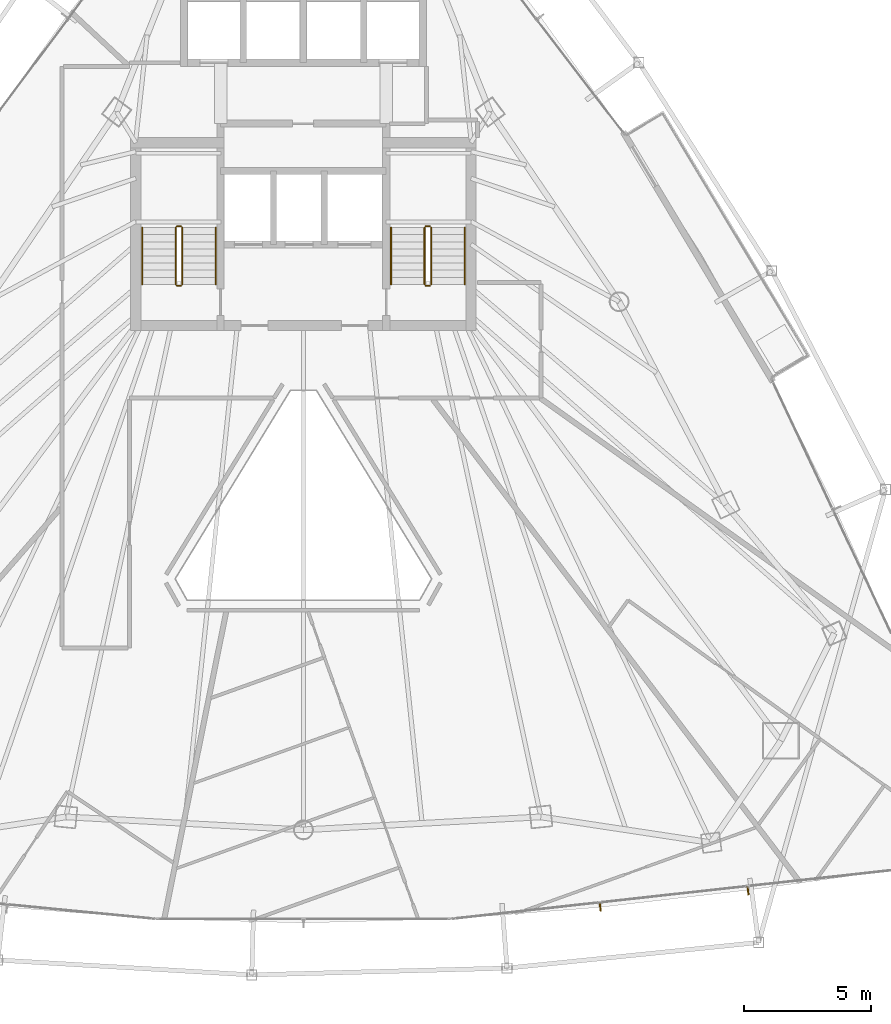
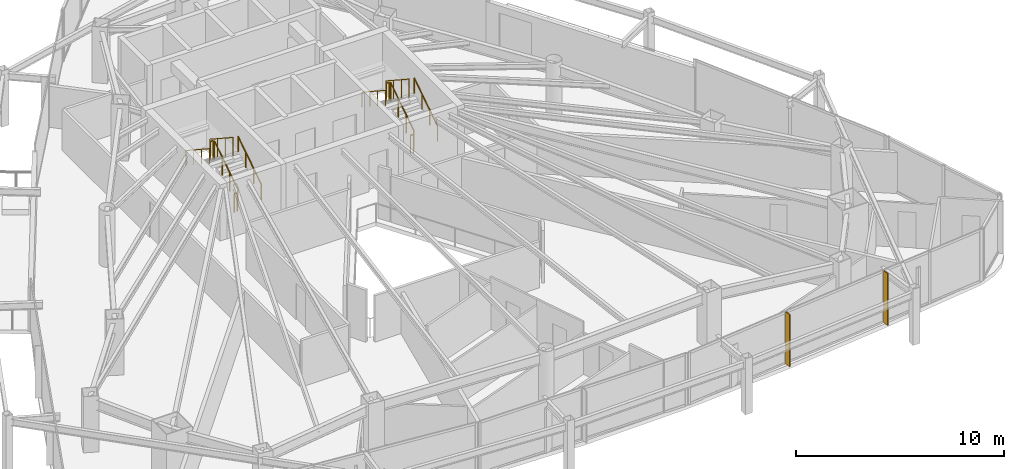
# One storey, part 29 of 30: 12 railings, 2 shading devices.
"""IFC4 building model written with IfcOpenShell, lengths in metres."""

from ifc_helpers import new_model, si_unit, direction, frame, origin, origin_2d, place, context, subcontext, project, spatial, rectangle, circle, extrude, material, layer, layer_set, type_object, element, save


model = new_model("IFC4")

# Units and contexts
model_context = context("Model", 3, precision=1e-05, world=origin(), true_north=direction((0.0, 1.0)))
body_context = subcontext(model_context, "Body", "Model", "MODEL_VIEW")
ifc_project = project(units=[si_unit("LENGTHUNIT", "METRE"), si_unit("AREAUNIT", "SQUARE_METRE"), si_unit("VOLUMEUNIT", "CUBIC_METRE"), si_unit("PLANEANGLEUNIT", "RADIAN"), si_unit("MASSUNIT", "GRAM", prefix="KILO")], contexts=[model_context])

# Site, building, storey
site_placement = place(None, origin())
site = spatial("IfcSite", under=ifc_project, at=site_placement, CompositionType="ELEMENT")
building_placement = place(site_placement, origin())
building = spatial("IfcBuilding", under=site, at=building_placement, Name="Orvanel Arch Residences", CompositionType="ELEMENT")
storey_placement = place(building_placement, frame((0.0, 0.0, 139.699951171875)))
storey = spatial("IfcBuildingStorey", under=building, at=storey_placement, Name="L39", CompositionType="ELEMENT", Elevation=139.699951171875)

# Shading devices
ifc_material_1 = material(Name="Bronze-anodised aluminium AA6063-T6", Category="aluminium")
ifc_layer = layer(ifc_material_1, 0.054931640625)
ifc_layer_set = layer_set([ifc_layer], Name="Bronze-anodised aluminium AA6063-T6")
shading_device_type = type_object("IfcShadingDeviceType", Name="FIN-BRZ-320", PredefinedType="USERDEFINED", material=ifc_layer_set)
for number, where, z_axis, x_axis, name in (
    (1, (44.68896484375, 3.7958984375, 0.0), (0.0, 0.0, 1.0), (0.109734311091, -0.993960955455, 0.0), "L39 Anodised Bronze Mullion FIN 01"),
    (2, (50.507080078125, 4.43896484375, 0.0), (0.0, 0.0, 1.0), (0.109734311091, -0.993960955455, 0.0), "L39 Anodised Bronze Mullion FIN 02"),
):
    element("IfcShadingDevice", number, at=place(storey_placement, frame(where, z_axis=z_axis, x_axis=x_axis)), inside=storey, type_object=shading_device_type, Name=name, ObjectType="FIN", PredefinedType="USERDEFINED", context=body_context, shape_type="SweptSolid", body=[
        extrude(rectangle(XDim=0.320068359375, YDim=0.054931640625, at=origin_2d()), origin(), (0.0, 0.0, 1.0), 3.06005859375),
    ])

# Railings
ifc_material_2 = material(Name="Structural steel AS/NZS 1163 C350L0 (Grade 350)", Category="steel")
railing_type_1 = type_object("IfcRailingType", Name="RL-STAIR-GUARD", PredefinedType="GUARDRAIL", material=ifc_material_2)
railing_1_placement = place(storey_placement, frame((28.22998046875, 28.320068359375, 0.183349609375)))
element("IfcRailing", 3, at=railing_1_placement, inside=storey, type_object=railing_type_1, Name="L39 ST-1 stair guard 1", PredefinedType="GUARDRAIL", context=body_context, shape_type="SweptSolid", body=[
    extrude(circle(Radius=0.02392578125, at=origin_2d()), frame((0.0, 0.001220703125, 1.076904296875), z_axis=(0.0, 0.836595146698, 0.547821650285), x_axis=(-1.0, 0.0, 0.0)), (0.0, 0.0, 1.0), 2.674560546875),
    extrude(circle(Radius=0.02099609375, at=origin_2d()), origin(), (0.0, 0.0, 1.0), 1.050048828125),
    extrude(circle(Radius=0.02099609375, at=origin_2d()), frame((0.0, 0.74658203125, 0.489013671875)), (0.0, 0.0, 1.0), 1.050048828125),
    extrude(circle(Radius=0.02099609375, at=origin_2d()), frame((0.0, 1.493408203125, 0.977783203125)), (0.0, 0.0, 1.0), 1.050048828125),
    extrude(circle(Radius=0.02099609375, at=origin_2d()), frame((0.0, 2.239990234375, 1.466796875)), (0.0, 0.0, 1.0), 1.050048828125),
])
railing_2_placement = place(storey_placement, frame((28.179931640625, 30.610107421875, 1.650146484375)))
element("IfcRailing", 4, at=railing_2_placement, inside=storey, type_object=railing_type_1, Name="L39 ST-1 stair guard 2", PredefinedType="GUARDRAIL", context=body_context, shape_type="SweptSolid", body=[
    extrude(circle(Radius=0.02392578125, at=origin_2d()), frame((-0.00146484375, 0.0, 1.076171875), z_axis=(-1.0, 0.0, 0.0), x_axis=(0.0, -1.0, 0.0)), (0.0, 0.0, 1.0), 0.156982421875),
    extrude(circle(Radius=0.02099609375, at=origin_2d()), origin(), (0.0, 0.0, 1.0), 1.050048828125),
    extrude(circle(Radius=0.02099609375, at=origin_2d()), frame((-0.159912109375, 0.0, 0.0)), (0.0, 0.0, 1.0), 1.050048828125),
])
railing_3_placement = place(storey_placement, frame((27.969970703125, 30.56005859375, 1.83349609375)))
element("IfcRailing", 5, at=railing_3_placement, inside=storey, type_object=railing_type_1, Name="L39 ST-1 stair guard 3", PredefinedType="GUARDRAIL", context=body_context, shape_type="SweptSolid", body=[
    extrude(circle(Radius=0.02392578125, at=origin_2d()), frame((0.0, -0.001220703125, 1.076904296875), z_axis=(0.0, -0.836636935527, 0.547757827979), x_axis=(1.0, 0.0, 0.0)), (0.0, 0.0, 1.0), 2.67431640625),
    extrude(circle(Radius=0.02099609375, at=origin_2d()), origin(), (0.0, 0.0, 1.0), 1.050048828125),
    extrude(circle(Radius=0.02099609375, at=origin_2d()), frame((0.0, -0.74658203125, 0.48876953125)), (0.0, 0.0, 1.0), 1.050048828125),
    extrude(circle(Radius=0.02099609375, at=origin_2d()), frame((0.0, -1.493408203125, 0.977783203125)), (0.0, 0.0, 1.0), 1.050048828125),
    extrude(circle(Radius=0.02099609375, at=origin_2d()), frame((0.0, -2.239990234375, 1.466552734375)), (0.0, 0.0, 1.0), 1.050048828125),
])
railing_4_placement = place(storey_placement, frame((28.179931640625, 28.27001953125, 0.0)))
element("IfcRailing", 6, at=railing_4_placement, inside=storey, type_object=railing_type_1, Name="L39 ST-1 stair guard 4", PredefinedType="GUARDRAIL", context=body_context, shape_type="SweptSolid", body=[
    extrude(circle(Radius=0.02392578125, at=origin_2d()), frame((-0.00146484375, 0.0, 1.076171875), z_axis=(-1.0, 0.0, 0.0), x_axis=(0.0, -1.0, 0.0)), (0.0, 0.0, 1.0), 0.156982421875),
    extrude(circle(Radius=0.02099609375, at=origin_2d()), origin(), (0.0, 0.0, 1.0), 1.050048828125),
    extrude(circle(Radius=0.02099609375, at=origin_2d()), frame((-0.159912109375, 0.0, 0.0)), (0.0, 0.0, 1.0), 1.050048828125),
])
railing_5_placement = place(storey_placement, frame((38.030029296875, 28.320068359375, 0.183349609375)))
element("IfcRailing", 7, at=railing_5_placement, inside=storey, type_object=railing_type_1, Name="L39 ST-2 stair guard 1", PredefinedType="GUARDRAIL", context=body_context, shape_type="SweptSolid", body=[
    extrude(circle(Radius=0.02392578125, at=origin_2d()), frame((0.0, 0.001220703125, 1.076904296875), z_axis=(0.0, 0.836595146698, 0.547821650285), x_axis=(-1.0, 0.0, 0.0)), (0.0, 0.0, 1.0), 2.674560546875),
    extrude(circle(Radius=0.02099609375, at=origin_2d()), origin(), (0.0, 0.0, 1.0), 1.050048828125),
    extrude(circle(Radius=0.02099609375, at=origin_2d()), frame((0.0, 0.74658203125, 0.489013671875)), (0.0, 0.0, 1.0), 1.050048828125),
    extrude(circle(Radius=0.02099609375, at=origin_2d()), frame((0.0, 1.493408203125, 0.977783203125)), (0.0, 0.0, 1.0), 1.050048828125),
    extrude(circle(Radius=0.02099609375, at=origin_2d()), frame((0.0, 2.239990234375, 1.466796875)), (0.0, 0.0, 1.0), 1.050048828125),
])
railing_6_placement = place(storey_placement, frame((37.97998046875, 30.610107421875, 1.650146484375)))
element("IfcRailing", 8, at=railing_6_placement, inside=storey, type_object=railing_type_1, Name="L39 ST-2 stair guard 2", PredefinedType="GUARDRAIL", context=body_context, shape_type="SweptSolid", body=[
    extrude(circle(Radius=0.02392578125, at=origin_2d()), frame((-0.00146484375, 0.0, 1.076171875), z_axis=(-1.0, 0.0, 0.0), x_axis=(0.0, -1.0, 0.0)), (0.0, 0.0, 1.0), 0.156982421875),
    extrude(circle(Radius=0.02099609375, at=origin_2d()), origin(), (0.0, 0.0, 1.0), 1.050048828125),
    extrude(circle(Radius=0.02099609375, at=origin_2d()), frame((-0.159912109375, 0.0, 0.0)), (0.0, 0.0, 1.0), 1.050048828125),
])
railing_7_placement = place(storey_placement, frame((37.77001953125, 30.56005859375, 1.83349609375)))
element("IfcRailing", 9, at=railing_7_placement, inside=storey, type_object=railing_type_1, Name="L39 ST-2 stair guard 3", PredefinedType="GUARDRAIL", context=body_context, shape_type="SweptSolid", body=[
    extrude(circle(Radius=0.02392578125, at=origin_2d()), frame((0.0, -0.001220703125, 1.076904296875), z_axis=(0.0, -0.836636935527, 0.547757827979), x_axis=(1.0, 0.0, 0.0)), (0.0, 0.0, 1.0), 2.67431640625),
    extrude(circle(Radius=0.02099609375, at=origin_2d()), origin(), (0.0, 0.0, 1.0), 1.050048828125),
    extrude(circle(Radius=0.02099609375, at=origin_2d()), frame((0.0, -0.74658203125, 0.48876953125)), (0.0, 0.0, 1.0), 1.050048828125),
    extrude(circle(Radius=0.02099609375, at=origin_2d()), frame((0.0, -1.493408203125, 0.977783203125)), (0.0, 0.0, 1.0), 1.050048828125),
    extrude(circle(Radius=0.02099609375, at=origin_2d()), frame((0.0, -2.239990234375, 1.466552734375)), (0.0, 0.0, 1.0), 1.050048828125),
])
railing_8_placement = place(storey_placement, frame((37.97998046875, 28.27001953125, 0.0)))
element("IfcRailing", 10, at=railing_8_placement, inside=storey, type_object=railing_type_1, Name="L39 ST-2 stair guard 4", PredefinedType="GUARDRAIL", context=body_context, shape_type="SweptSolid", body=[
    extrude(circle(Radius=0.02392578125, at=origin_2d()), frame((-0.00146484375, 0.0, 1.076171875), z_axis=(-1.0, 0.0, 0.0), x_axis=(0.0, -1.0, 0.0)), (0.0, 0.0, 1.0), 0.156982421875),
    extrude(circle(Radius=0.02099609375, at=origin_2d()), origin(), (0.0, 0.0, 1.0), 1.050048828125),
    extrude(circle(Radius=0.02099609375, at=origin_2d()), frame((-0.159912109375, 0.0, 0.0)), (0.0, 0.0, 1.0), 1.050048828125),
])
railing_type_2 = type_object("IfcRailingType", Name="RL-STAIR-HAND", PredefinedType="HANDRAIL", material=ifc_material_2)
railing_9_placement = place(storey_placement, frame((29.550048828125, 28.320068359375, 0.183349609375)))
element("IfcRailing", 11, at=railing_9_placement, inside=storey, type_object=railing_type_2, Name="L39 ST-1 stair handrail 1", PredefinedType="HANDRAIL", context=body_context, shape_type="SweptSolid", body=[
    extrude(circle(Radius=0.02392578125, at=origin_2d()), frame((0.0, 0.001220703125, 0.876708984375), z_axis=(0.0, 0.836595146698, 0.547821650285), x_axis=(-1.0, 0.0, 0.0)), (0.0, 0.0, 1.0), 2.674560546875),
    extrude(circle(Radius=0.02099609375, at=origin_2d()), origin(), (0.0, 0.0, 1.0), 0.849853515625),
    extrude(circle(Radius=0.02099609375, at=origin_2d()), frame((0.0, 0.74658203125, 0.489013671875)), (0.0, 0.0, 1.0), 0.849853515625),
    extrude(circle(Radius=0.02099609375, at=origin_2d()), frame((0.0, 1.493408203125, 0.977783203125)), (0.0, 0.0, 1.0), 0.849853515625),
    extrude(circle(Radius=0.02099609375, at=origin_2d()), frame((0.0, 2.239990234375, 1.466796875)), (0.0, 0.0, 1.0), 0.849853515625),
])
railing_10_placement = place(storey_placement, frame((26.64990234375, 30.56005859375, 1.83349609375)))
element("IfcRailing", 12, at=railing_10_placement, inside=storey, type_object=railing_type_2, Name="L39 ST-1 stair handrail 2", PredefinedType="HANDRAIL", context=body_context, shape_type="SweptSolid", body=[
    extrude(circle(Radius=0.02392578125, at=origin_2d()), frame((0.0, -0.001220703125, 0.876708984375), z_axis=(0.0, -0.836636935527, 0.547757827979), x_axis=(1.0, 0.0, 0.0)), (0.0, 0.0, 1.0), 2.67431640625),
    extrude(circle(Radius=0.02099609375, at=origin_2d()), origin(), (0.0, 0.0, 1.0), 0.849853515625),
    extrude(circle(Radius=0.02099609375, at=origin_2d()), frame((0.0, -0.74658203125, 0.48876953125)), (0.0, 0.0, 1.0), 0.849853515625),
    extrude(circle(Radius=0.02099609375, at=origin_2d()), frame((0.0, -1.493408203125, 0.977783203125)), (0.0, 0.0, 1.0), 0.849853515625),
    extrude(circle(Radius=0.02099609375, at=origin_2d()), frame((0.0, -2.239990234375, 1.466552734375)), (0.0, 0.0, 1.0), 0.849853515625),
])
railing_11_placement = place(storey_placement, frame((39.35009765625, 28.320068359375, 0.183349609375)))
element("IfcRailing", 13, at=railing_11_placement, inside=storey, type_object=railing_type_2, Name="L39 ST-2 stair handrail 1", PredefinedType="HANDRAIL", context=body_context, shape_type="SweptSolid", body=[
    extrude(circle(Radius=0.02392578125, at=origin_2d()), frame((0.0, 0.001220703125, 0.876708984375), z_axis=(0.0, 0.836595146698, 0.547821650285), x_axis=(-1.0, 0.0, 0.0)), (0.0, 0.0, 1.0), 2.674560546875),
    extrude(circle(Radius=0.02099609375, at=origin_2d()), origin(), (0.0, 0.0, 1.0), 0.849853515625),
    extrude(circle(Radius=0.02099609375, at=origin_2d()), frame((0.0, 0.74658203125, 0.489013671875)), (0.0, 0.0, 1.0), 0.849853515625),
    extrude(circle(Radius=0.02099609375, at=origin_2d()), frame((0.0, 1.493408203125, 0.977783203125)), (0.0, 0.0, 1.0), 0.849853515625),
    extrude(circle(Radius=0.02099609375, at=origin_2d()), frame((0.0, 2.239990234375, 1.466796875)), (0.0, 0.0, 1.0), 0.849853515625),
])
railing_12_placement = place(storey_placement, frame((36.449951171875, 30.56005859375, 1.83349609375)))
element("IfcRailing", 14, at=railing_12_placement, inside=storey, type_object=railing_type_2, Name="L39 ST-2 stair handrail 2", PredefinedType="HANDRAIL", context=body_context, shape_type="SweptSolid", body=[
    extrude(circle(Radius=0.02392578125, at=origin_2d()), frame((0.0, -0.001220703125, 0.876708984375), z_axis=(0.0, -0.836636935527, 0.547757827979), x_axis=(1.0, 0.0, 0.0)), (0.0, 0.0, 1.0), 2.67431640625),
    extrude(circle(Radius=0.02099609375, at=origin_2d()), origin(), (0.0, 0.0, 1.0), 0.849853515625),
    extrude(circle(Radius=0.02099609375, at=origin_2d()), frame((0.0, -0.74658203125, 0.48876953125)), (0.0, 0.0, 1.0), 0.849853515625),
    extrude(circle(Radius=0.02099609375, at=origin_2d()), frame((0.0, -1.493408203125, 0.977783203125)), (0.0, 0.0, 1.0), 0.849853515625),
    extrude(circle(Radius=0.02099609375, at=origin_2d()), frame((0.0, -2.239990234375, 1.466552734375)), (0.0, 0.0, 1.0), 0.849853515625),
])

save(model, "model.ifc")
